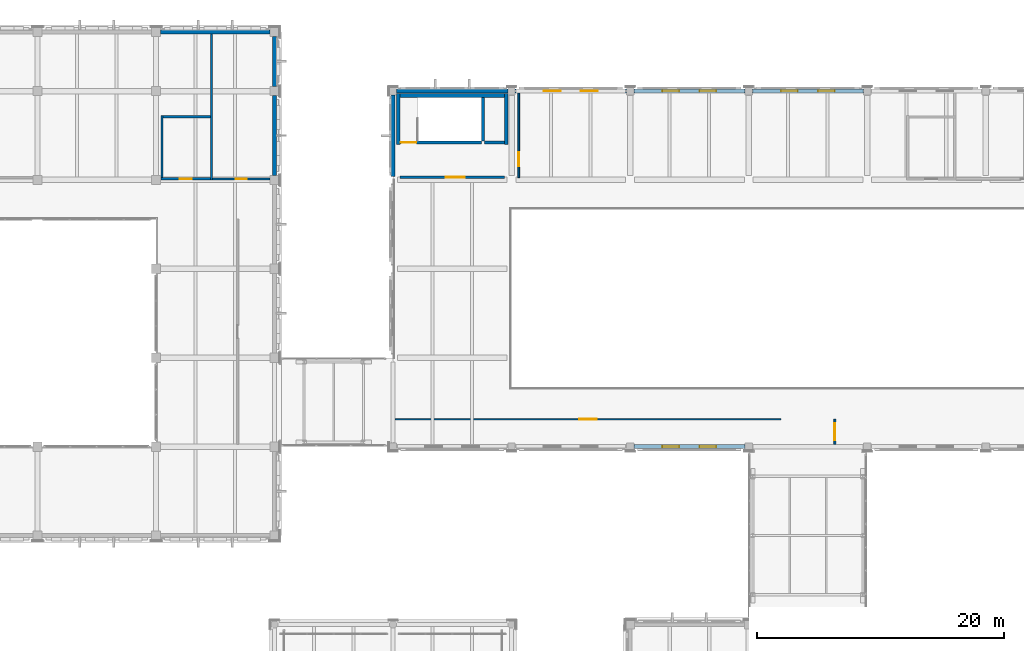
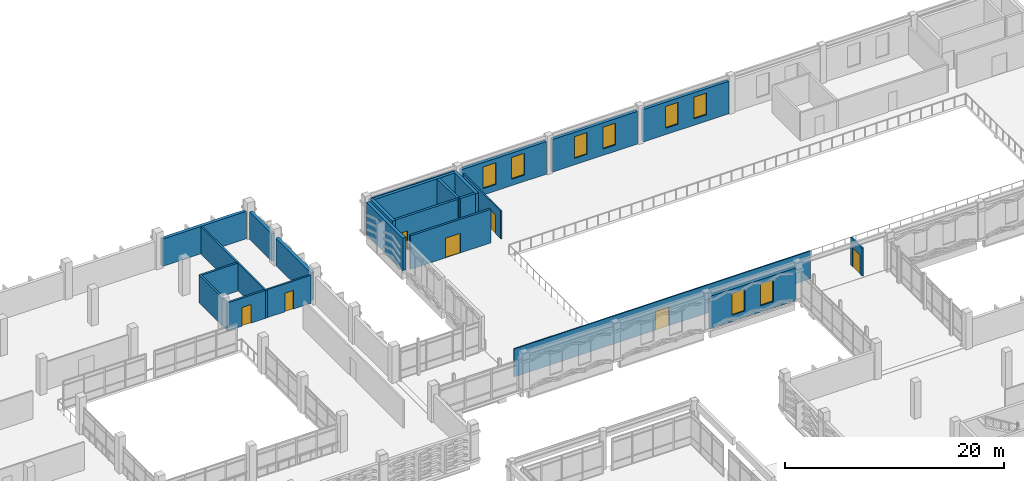
# One storey, part 156 of 180: 24 walls, 8 windows, 7 doors, 15 openings.
"""IFC4 building model written with IfcOpenShell, lengths in metres."""

from ifc_helpers import new_model, si_unit, direction, frame, frame_2d, origin, place, context, subcontext, project, spatial, rectangle, extrude, material, layer, layer_set, type_object, element, fill, save


model = new_model("IFC4")

# Units and contexts
model_context = context("Model", 3, precision=1e-05, world=origin(), true_north=direction((0.0, 1.0)))
body_context = subcontext(model_context, "Body", "Model", "MODEL_VIEW")
ifc_project = project(units=[si_unit("LENGTHUNIT", "METRE"), si_unit("AREAUNIT", "SQUARE_METRE"), si_unit("VOLUMEUNIT", "CUBIC_METRE"), si_unit("PLANEANGLEUNIT", "RADIAN"), si_unit("MASSUNIT", "GRAM", prefix="KILO")], contexts=[model_context])

# Site, building, storey
site_placement = place(None, origin())
site = spatial("IfcSite", under=ifc_project, at=site_placement, CompositionType="ELEMENT")
building_placement = place(site_placement, origin())
building = spatial("IfcBuilding", under=site, at=building_placement, Name="Asteropetra Specialist Clinic", CompositionType="ELEMENT")
storey_placement = place(building_placement, frame((0.0, 0.0, 4.419921875)))
storey = spatial("IfcBuildingStorey", under=building, at=storey_placement, Name="L01", CompositionType="ELEMENT", Elevation=4.419921875)

# Wall
ifc_material_1 = material(Name="Chevron terracotta deep", Category="masonry")
ifc_layer_1 = layer(ifc_material_1, 0.320068359375)
ifc_layer_set_1 = layer_set([ifc_layer_1], Name="Chevron terracotta deep")
wall_type_1 = type_object("IfcWallType", Name="EW-CHEV-TER-320", PredefinedType="SOLIDWALL", material=ifc_layer_set_1)
wall_1_placement = place(storey_placement, frame((95.699951171875, 105.60009765625, 0.0), z_axis=(0.0, 0.0, 1.0), x_axis=(-1.0, 0.0, 0.0)))
element("IfcWall", 1, at=wall_1_placement, inside=storey, type_object=wall_type_1, Name="Exterior Wall EW-0012", PredefinedType="SOLIDWALL", context=body_context, shape_type="SweptSolid", body=[
    extrude(rectangle(XDim=9.0, YDim=0.320068359375, at=frame_2d((4.5, 0.0))), origin(), (0.0, 0.0, 1.0), 3.630126953125),
])

# Wall, openings, windows
wall_2_placement = place(storey_placement, frame((105.300048828125, 105.60009765625, 0.0), z_axis=(0.0, 0.0, 1.0), x_axis=(-1.0, 0.0, 0.0)))
wall_2 = element("IfcWall", 2, at=wall_2_placement, inside=storey, type_object=wall_type_1, Name="Exterior Wall EW-0014", PredefinedType="SOLIDWALL", context=body_context, shape_type="SweptSolid", body=[
    extrude(rectangle(XDim=9.0, YDim=0.320068359375, at=frame_2d((4.5, 0.0))), origin(), (0.0, 0.0, 1.0), 3.630126953125),
])
opening_1_placement = place(wall_2_placement, frame((2.324951171875, 0.0, 0.719970703125)))
opening_1 = element("IfcOpeningElement", 3, at=opening_1_placement, cuts=wall_2, Name="Opening W-0009", PredefinedType="OPENING", context=body_context, shape_type="SweptSolid", body=[
    extrude(rectangle(XDim=1.35009765625, YDim=2.419921875, at=frame_2d((0.675048828125, 1.2099609375))), frame((0.0, 0.169921875, 0.0), z_axis=(0.0, -1.0, 0.0), x_axis=(1.0, 0.0, 0.0)), (0.0, 0.0, 1.0), 0.340087890625),
])
opening_2_placement = place(wall_2_placement, frame((5.324951171875, 0.0, 0.719970703125)))
opening_2 = element("IfcOpeningElement", 4, at=opening_2_placement, cuts=wall_2, Name="Opening W-0010", PredefinedType="OPENING", context=body_context, shape_type="SweptSolid", body=[
    extrude(rectangle(XDim=1.35009765625, YDim=2.419921875, at=frame_2d((0.675048828125, 1.2099609375))), frame((0.0, 0.169921875, 0.0), z_axis=(0.0, -1.0, 0.0), x_axis=(1.0, 0.0, 0.0)), (0.0, 0.0, 1.0), 0.340087890625),
])
ifc_material_2 = material(Name="Thermally broken bronze aluminium and low-E glass", Category="aluminium")
window_type = type_object("IfcWindowType", Name="WIN-T23", PartitioningType="DOUBLE_PANEL_VERTICAL", PredefinedType="WINDOW", material=ifc_material_2)
window_1_placement = place(opening_1_placement, origin())
window_1 = element("IfcWindow", 5, at=window_1_placement, inside=storey, type_object=window_type, Name="Window W-0009", OverallHeight=2.419921875, OverallWidth=1.35009765625, PartitioningType="SINGLE_PANEL", PredefinedType="WINDOW", context=body_context, shape_type="SweptSolid", body=[
    extrude(rectangle(XDim=1.35009765625, YDim=2.419921875, at=frame_2d((0.675048828125, 1.2099609375))), frame((0.0, 0.030029296875, 0.0), z_axis=(0.0, -1.0, 0.0), x_axis=(1.0, 0.0, 0.0)), (0.0, 0.0, 1.0), 0.06005859375),
])
fill(opening_1, window_1)
window_2_placement = place(opening_2_placement, origin())
window_2 = element("IfcWindow", 6, at=window_2_placement, inside=storey, type_object=window_type, Name="Window W-0010", OverallHeight=2.419921875, OverallWidth=1.35009765625, PartitioningType="SINGLE_PANEL", PredefinedType="WINDOW", context=body_context, shape_type="SweptSolid", body=[
    extrude(rectangle(XDim=1.35009765625, YDim=2.419921875, at=frame_2d((0.675048828125, 1.2099609375))), frame((0.0, 0.030029296875, 0.0), z_axis=(0.0, -1.0, 0.0), x_axis=(1.0, 0.0, 0.0)), (0.0, 0.0, 1.0), 0.06005859375),
])
fill(opening_2, window_2)

wall_3_placement = place(storey_placement, frame((105.89990234375, 76.800048828125, 0.0), z_axis=(0.0, 0.0, 1.0), x_axis=(1.0, 0.0, 0.0)))
wall_3 = element("IfcWall", 7, at=wall_3_placement, inside=storey, type_object=wall_type_1, Name="Exterior Wall EW-0015", PredefinedType="SOLIDWALL", context=body_context, shape_type="SweptSolid", body=[
    extrude(rectangle(XDim=9.0, YDim=0.320068359375, at=frame_2d((4.5, 0.0))), origin(), (0.0, 0.0, 1.0), 3.630126953125),
])
opening_3_placement = place(wall_3_placement, frame((2.324951171875, 0.0, 0.719970703125)))
opening_3 = element("IfcOpeningElement", 8, at=opening_3_placement, cuts=wall_3, Name="Opening W-0011", PredefinedType="OPENING", context=body_context, shape_type="SweptSolid", body=[
    extrude(rectangle(XDim=1.35009765625, YDim=2.419921875, at=frame_2d((0.675048828125, 1.2099609375))), frame((0.0, 0.169921875, 0.0), z_axis=(0.0, -1.0, 0.0), x_axis=(1.0, 0.0, 0.0)), (0.0, 0.0, 1.0), 0.340087890625),
])
opening_4_placement = place(wall_3_placement, frame((5.324951171875, 0.0, 0.719970703125)))
opening_4 = element("IfcOpeningElement", 9, at=opening_4_placement, cuts=wall_3, Name="Opening W-0012", PredefinedType="OPENING", context=body_context, shape_type="SweptSolid", body=[
    extrude(rectangle(XDim=1.35009765625, YDim=2.419921875, at=frame_2d((0.675048828125, 1.2099609375))), frame((0.0, 0.169921875, 0.0), z_axis=(0.0, -1.0, 0.0), x_axis=(1.0, 0.0, 0.0)), (0.0, 0.0, 1.0), 0.340087890625),
])
window_3_placement = place(opening_3_placement, origin())
window_3 = element("IfcWindow", 10, at=window_3_placement, inside=storey, type_object=window_type, Name="Window W-0011", OverallHeight=2.419921875, OverallWidth=1.35009765625, PartitioningType="SINGLE_PANEL", PredefinedType="WINDOW", context=body_context, shape_type="SweptSolid", body=[
    extrude(rectangle(XDim=1.35009765625, YDim=2.419921875, at=frame_2d((0.675048828125, 1.2099609375))), frame((0.0, 0.030029296875, 0.0), z_axis=(0.0, -1.0, 0.0), x_axis=(1.0, 0.0, 0.0)), (0.0, 0.0, 1.0), 0.06005859375),
])
fill(opening_3, window_3)
window_4_placement = place(opening_4_placement, origin())
window_4 = element("IfcWindow", 11, at=window_4_placement, inside=storey, type_object=window_type, Name="Window W-0012", OverallHeight=2.419921875, OverallWidth=1.35009765625, PartitioningType="SINGLE_PANEL", PredefinedType="WINDOW", context=body_context, shape_type="SweptSolid", body=[
    extrude(rectangle(XDim=1.35009765625, YDim=2.419921875, at=frame_2d((0.675048828125, 1.2099609375))), frame((0.0, 0.030029296875, 0.0), z_axis=(0.0, -1.0, 0.0), x_axis=(1.0, 0.0, 0.0)), (0.0, 0.0, 1.0), 0.06005859375),
])
fill(opening_4, window_4)

wall_4_placement = place(storey_placement, frame((114.89990234375, 105.60009765625, 0.0), z_axis=(0.0, 0.0, 1.0), x_axis=(-1.0, 0.0, 0.0)))
wall_4 = element("IfcWall", 12, at=wall_4_placement, inside=storey, type_object=wall_type_1, Name="Exterior Wall EW-0016", PredefinedType="SOLIDWALL", context=body_context, shape_type="SweptSolid", body=[
    extrude(rectangle(XDim=9.0, YDim=0.320068359375, at=frame_2d((4.5, 0.0))), origin(), (0.0, 0.0, 1.0), 3.630126953125),
])
opening_5_placement = place(wall_4_placement, frame((2.324951171875, 0.0, 0.719970703125)))
opening_5 = element("IfcOpeningElement", 13, at=opening_5_placement, cuts=wall_4, Name="Opening W-0013", PredefinedType="OPENING", context=body_context, shape_type="SweptSolid", body=[
    extrude(rectangle(XDim=1.35009765625, YDim=2.419921875, at=frame_2d((0.675048828125, 1.2099609375))), frame((0.0, 0.169921875, 0.0), z_axis=(0.0, -1.0, 0.0), x_axis=(1.0, 0.0, 0.0)), (0.0, 0.0, 1.0), 0.340087890625),
])
opening_6_placement = place(wall_4_placement, frame((5.324951171875, 0.0, 0.719970703125)))
opening_6 = element("IfcOpeningElement", 14, at=opening_6_placement, cuts=wall_4, Name="Opening W-0014", PredefinedType="OPENING", context=body_context, shape_type="SweptSolid", body=[
    extrude(rectangle(XDim=1.35009765625, YDim=2.419921875, at=frame_2d((0.675048828125, 1.2099609375))), frame((0.0, 0.169921875, 0.0), z_axis=(0.0, -1.0, 0.0), x_axis=(1.0, 0.0, 0.0)), (0.0, 0.0, 1.0), 0.340087890625),
])
window_5_placement = place(opening_5_placement, origin())
window_5 = element("IfcWindow", 15, at=window_5_placement, inside=storey, type_object=window_type, Name="Window W-0013", OverallHeight=2.419921875, OverallWidth=1.35009765625, PartitioningType="SINGLE_PANEL", PredefinedType="WINDOW", context=body_context, shape_type="SweptSolid", body=[
    extrude(rectangle(XDim=1.35009765625, YDim=2.419921875, at=frame_2d((0.675048828125, 1.2099609375))), frame((0.0, 0.030029296875, 0.0), z_axis=(0.0, -1.0, 0.0), x_axis=(1.0, 0.0, 0.0)), (0.0, 0.0, 1.0), 0.06005859375),
])
fill(opening_5, window_5)
window_6_placement = place(opening_6_placement, origin())
window_6 = element("IfcWindow", 16, at=window_6_placement, inside=storey, type_object=window_type, Name="Window W-0014", OverallHeight=2.419921875, OverallWidth=1.35009765625, PartitioningType="SINGLE_PANEL", PredefinedType="WINDOW", context=body_context, shape_type="SweptSolid", body=[
    extrude(rectangle(XDim=1.35009765625, YDim=2.419921875, at=frame_2d((0.675048828125, 1.2099609375))), frame((0.0, 0.030029296875, 0.0), z_axis=(0.0, -1.0, 0.0), x_axis=(1.0, 0.0, 0.0)), (0.0, 0.0, 1.0), 0.06005859375),
])
fill(opening_6, window_6)

wall_5_placement = place(storey_placement, frame((124.5, 105.60009765625, 0.0), z_axis=(0.0, 0.0, 1.0), x_axis=(-1.0, 0.0, 0.0)))
wall_5 = element("IfcWall", 17, at=wall_5_placement, inside=storey, type_object=wall_type_1, Name="Exterior Wall EW-0017", PredefinedType="SOLIDWALL", context=body_context, shape_type="SweptSolid", body=[
    extrude(rectangle(XDim=9.0, YDim=0.320068359375, at=frame_2d((4.5, 0.0))), origin(), (0.0, 0.0, 1.0), 3.630126953125),
])
opening_7_placement = place(wall_5_placement, frame((2.324951171875, 0.0, 0.719970703125)))
opening_7 = element("IfcOpeningElement", 18, at=opening_7_placement, cuts=wall_5, Name="Opening W-0015", PredefinedType="OPENING", context=body_context, shape_type="SweptSolid", body=[
    extrude(rectangle(XDim=1.35009765625, YDim=2.419921875, at=frame_2d((0.675048828125, 1.2099609375))), frame((0.0, 0.169921875, 0.0), z_axis=(0.0, -1.0, 0.0), x_axis=(1.0, 0.0, 0.0)), (0.0, 0.0, 1.0), 0.340087890625),
])
opening_8_placement = place(wall_5_placement, frame((5.324951171875, 0.0, 0.719970703125)))
opening_8 = element("IfcOpeningElement", 19, at=opening_8_placement, cuts=wall_5, Name="Opening W-0016", PredefinedType="OPENING", context=body_context, shape_type="SweptSolid", body=[
    extrude(rectangle(XDim=1.35009765625, YDim=2.419921875, at=frame_2d((0.675048828125, 1.2099609375))), frame((0.0, 0.169921875, 0.0), z_axis=(0.0, -1.0, 0.0), x_axis=(1.0, 0.0, 0.0)), (0.0, 0.0, 1.0), 0.340087890625),
])
window_7_placement = place(opening_7_placement, origin())
window_7 = element("IfcWindow", 20, at=window_7_placement, inside=storey, type_object=window_type, Name="Window W-0015", OverallHeight=2.419921875, OverallWidth=1.35009765625, PartitioningType="SINGLE_PANEL", PredefinedType="WINDOW", context=body_context, shape_type="SweptSolid", body=[
    extrude(rectangle(XDim=1.35009765625, YDim=2.419921875, at=frame_2d((0.675048828125, 1.2099609375))), frame((0.0, 0.030029296875, 0.0), z_axis=(0.0, -1.0, 0.0), x_axis=(1.0, 0.0, 0.0)), (0.0, 0.0, 1.0), 0.06005859375),
])
fill(opening_7, window_7)
window_8_placement = place(opening_8_placement, origin())
window_8 = element("IfcWindow", 21, at=window_8_placement, inside=storey, type_object=window_type, Name="Window W-0016", OverallHeight=2.419921875, OverallWidth=1.35009765625, PartitioningType="SINGLE_PANEL", PredefinedType="WINDOW", context=body_context, shape_type="SweptSolid", body=[
    extrude(rectangle(XDim=1.35009765625, YDim=2.419921875, at=frame_2d((0.675048828125, 1.2099609375))), frame((0.0, 0.030029296875, 0.0), z_axis=(0.0, -1.0, 0.0), x_axis=(1.0, 0.0, 0.0)), (0.0, 0.0, 1.0), 0.06005859375),
])
fill(opening_8, window_8)

# Walls
wall_6_placement = place(storey_placement, frame((86.39990234375, 105.300048828125, 0.0), z_axis=(0.0, 0.0, 1.0), x_axis=(0.0, -1.0, 0.0)))
element("IfcWall", 22, at=wall_6_placement, inside=storey, type_object=wall_type_1, Name="Exterior Wall EW-0029", PredefinedType="SOLIDWALL", context=body_context, shape_type="SweptSolid", body=[
    extrude(rectangle(XDim=6.6201171875, YDim=0.320068359375, at=frame_2d((3.31005859375, 0.0))), origin(), (0.0, 0.0, 1.0), 3.630126953125),
])
wall_7_placement = place(storey_placement, frame((76.425048828125, 110.39990234375, 0.0), z_axis=(0.0, 0.0, 1.0), x_axis=(-1.0, 0.0, 0.0)))
element("IfcWall", 23, at=wall_7_placement, inside=storey, type_object=wall_type_1, Name="Exterior Wall EW-0075", PredefinedType="SOLIDWALL", context=body_context, shape_type="SweptSolid", body=[
    extrude(rectangle(XDim=8.85009765625, YDim=0.320068359375, at=frame_2d((4.425048828125, 0.0))), origin(), (0.0, 0.0, 1.0), 3.050048828125),
])
wall_8_placement = place(storey_placement, frame((76.800048828125, 98.77490234375, 0.0), z_axis=(0.0, 0.0, 1.0), x_axis=(0.0, 1.0, 0.0)))
element("IfcWall", 24, at=wall_8_placement, inside=storey, type_object=wall_type_1, Name="Exterior Wall EW-0084", PredefinedType="SOLIDWALL", context=body_context, shape_type="SweptSolid", body=[
    extrude(rectangle(XDim=6.4501953125, YDim=0.320068359375, at=frame_2d((3.22509765625, 0.0))), origin(), (0.0, 0.0, 1.0), 3.050048828125),
])
wall_9_placement = place(storey_placement, frame((76.800048828125, 105.97509765625, 0.0), z_axis=(0.0, 0.0, 1.0), x_axis=(0.0, 1.0, 0.0)))
element("IfcWall", 25, at=wall_9_placement, inside=storey, type_object=wall_type_1, Name="Exterior Wall EW-0086", PredefinedType="SOLIDWALL", context=body_context, shape_type="SweptSolid", body=[
    extrude(rectangle(XDim=4.0498046875, YDim=0.320068359375, at=frame_2d((2.02490234375, 0.0))), origin(), (0.0, 0.0, 1.0), 3.050048828125),
])

# Wall, opening, door
ifc_material_3 = material(Name="Fire-rated masonry and gypsum", Category="masonry")
ifc_layer_2 = layer(ifc_material_3, 0.219970703125)
ifc_layer_set_2 = layer_set([ifc_layer_2], Name="Fire-rated masonry and gypsum")
wall_type_2 = type_object("IfcWallType", Name="W-COMP-220", PredefinedType="PARTITIONING", material=ifc_layer_set_2)
wall_10_placement = place(storey_placement, frame((86.9599609375, 98.6201171875, 0.0), z_axis=(0.0, 0.0, 1.0), x_axis=(1.0, 0.0, 0.0)))
wall_10 = element("IfcWall", 26, at=wall_10_placement, inside=storey, type_object=wall_type_2, Name="Core Wall CW-C11-L01-LOB", PredefinedType="PARTITIONING", context=body_context, shape_type="SweptSolid", body=[
    extrude(rectangle(XDim=8.47998046875, YDim=0.219970703125, at=frame_2d((4.239990234375, 0.0))), origin(), (0.0, 0.0, 1.0), 3.75),
])
opening_9_placement = place(wall_10_placement, frame((3.699951171875, 0.0, 0.0)))
opening_9 = element("IfcOpeningElement", 27, at=opening_9_placement, cuts=wall_10, Name="Opening FD-098", PredefinedType="OPENING", context=body_context, shape_type="SweptSolid", body=[
    extrude(rectangle(XDim=1.550048828125, YDim=2.199951171875, at=frame_2d((0.77490234375, 1.10009765625))), frame((0.0, 0.119873046875, 0.0), z_axis=(0.0, -1.0, 0.0), x_axis=(1.0, 0.0, 0.0)), (0.0, 0.0, 1.0), 0.239990234375),
])
ifc_material_4 = material(Name="Fire-rated steel and vision glass door", Category="steel")
door_type_1 = type_object("IfcDoorType", Name="FD-LOBBY-1550", OperationType="DOUBLE_DOOR_SINGLE_SWING", PredefinedType="DOOR", material=ifc_material_4)
door_1_placement = place(opening_9_placement, origin())
door_1 = element("IfcDoor", 28, at=door_1_placement, inside=storey, type_object=door_type_1, Name="Lobby Fire Door FD-098", OperationType="DOUBLE_DOOR_SINGLE_SWING", OverallHeight=2.199951171875, OverallWidth=1.550048828125, PredefinedType="DOOR", context=body_context, shape_type="SweptSolid", body=[
    extrude(rectangle(XDim=1.550048828125, YDim=2.199951171875, at=frame_2d((0.77490234375, 1.10009765625))), frame((0.0, 0.02490234375, 0.0), z_axis=(0.0, -1.0, 0.0), x_axis=(1.0, 0.0, 0.0)), (0.0, 0.0, 1.0), 0.050048828125),
])
fill(opening_9, door_1)

# Walls
ifc_material_5 = material(Name="Concrete C35/45", Category="concrete")
ifc_layer_3 = layer(ifc_material_5, 0.300048828125)
ifc_layer_set_3 = layer_set([ifc_layer_3], Name="Concrete C35/45")
wall_type_3 = type_object("IfcWallType", Name="W-CORE-300", PredefinedType="SHEAR", material=ifc_layer_set_3)
for number, where, z_axis, x_axis, name in (
    (29, (86.820068359375, 101.2900390625, 0.0), (0.0, 0.0, 1.0), (0.0, 1.0, 0.0), "Core Wall CW-C11-L01-W"),
    (30, (95.580078125, 101.2900390625, 0.0), (0.0, 0.0, 1.0), (0.0, 1.0, 0.0), "Core Wall CW-C11-L01-E"),
):
    element("IfcWall", number, at=place(storey_placement, frame(where, z_axis=z_axis, x_axis=x_axis)), inside=storey, type_object=wall_type_3, Name=name, PredefinedType="SHEAR", context=body_context, shape_type="SweptSolid", body=[
        extrude(rectangle(XDim=4.099853515625, YDim=0.300048828125, at=frame_2d((2.0498046875, 0.0))), origin(), (0.0, 0.0, 1.0), 3.800048828125),
    ])
wall_11_placement = place(storey_placement, frame((86.965087890625, 105.239990234375, 0.0), z_axis=(0.0, 0.0, 1.0), x_axis=(1.0, 0.0, 0.0)))
element("IfcWall", 31, at=wall_11_placement, inside=storey, type_object=wall_type_3, Name="Core Wall CW-C11-L01-BACK", PredefinedType="SHEAR", context=body_context, shape_type="SweptSolid", body=[
    extrude(rectangle(XDim=8.469970703125, YDim=0.300048828125, at=frame_2d((4.23486328125, 0.0))), origin(), (0.0, 0.0, 1.0), 3.800048828125),
])

# Wall, opening, door
ifc_material_6 = material(Name="Light partition", Category="masonry")
ifc_layer_4 = layer(ifc_material_6, 0.1201171875)
ifc_layer_set_4 = layer_set([ifc_layer_4], Name="Light partition")
wall_type_4 = type_object("IfcWallType", Name="W-PART-120", PredefinedType="PARTITIONING", material=ifc_layer_set_4)
wall_12_placement = place(storey_placement, frame((86.580078125, 79.02001953125, 0.0), z_axis=(0.0, 0.0, 1.0), x_axis=(1.0, 0.0, 0.0)))
wall_12 = element("IfcWall", 32, at=wall_12_placement, inside=storey, type_object=wall_type_4, Name="Interior Partition PW-0094", PredefinedType="PARTITIONING", context=body_context, shape_type="SweptSolid", body=[
    extrude(rectangle(XDim=31.239990234375, YDim=0.1201171875, at=frame_2d((15.6201171875, 0.0))), origin(), (0.0, 0.0, 1.0), 3.1201171875),
])
opening_10_placement = place(wall_12_placement, frame((14.919921875, 0.0, 0.0)))
opening_10 = element("IfcOpeningElement", 33, at=opening_10_placement, cuts=wall_12, Name="Opening ID-0054", PredefinedType="OPENING", context=body_context, shape_type="SweptSolid", body=[
    extrude(rectangle(XDim=1.39990234375, YDim=2.1201171875, at=frame_2d((0.699951171875, 1.06005859375))), frame((0.0, 0.070068359375, 0.0), z_axis=(0.0, -1.0, 0.0), x_axis=(1.0, 0.0, 0.0)), (0.0, 0.0, 1.0), 0.14013671875),
])
ifc_material_7 = material(Name="Antimicrobial laminate timber leaf in steel frame", Category="steel")
door_type_2 = type_object("IfcDoorType", Name="ID-WARD-1400", OperationType="NOTDEFINED", PredefinedType="DOOR", material=ifc_material_7)
door_2_placement = place(opening_10_placement, origin())
door_2 = element("IfcDoor", 34, at=door_2_placement, inside=storey, type_object=door_type_2, Name="Interior Door ID-0054", OperationType="SINGLE_SWING_LEFT", OverallHeight=2.1201171875, OverallWidth=1.39990234375, PredefinedType="DOOR", context=body_context, shape_type="SweptSolid", body=[
    extrude(rectangle(XDim=1.39990234375, YDim=2.1201171875, at=frame_2d((0.699951171875, 1.06005859375))), frame((0.0, 0.02490234375, 0.0), z_axis=(0.0, -1.0, 0.0), x_axis=(1.0, 0.0, 0.0)), (0.0, 0.0, 1.0), 0.050048828125),
])
fill(opening_10, door_2)

ifc_material_8 = material(Name="Clinical consulting partition", Category="masonry")
ifc_layer_5 = layer(ifc_material_8, 0.14990234375)
ifc_layer_set_5 = layer_set([ifc_layer_5], Name="Clinical consulting partition")
wall_type_5 = type_object("IfcWallType", Name="W-PART-150", PredefinedType="PARTITIONING", material=ifc_layer_set_5)
wall_13_placement = place(storey_placement, frame((96.580078125, 98.580078125, 0.0), z_axis=(0.0, 0.0, 1.0), x_axis=(0.0, 1.0, 0.0)))
wall_13 = element("IfcWall", 35, at=wall_13_placement, inside=storey, type_object=wall_type_5, Name="Interior Partition PW-0096", PredefinedType="PARTITIONING", context=body_context, shape_type="SweptSolid", body=[
    extrude(rectangle(XDim=6.85791015625, YDim=0.14990234375, at=frame_2d((3.428955078125, 0.0))), origin(), (0.0, 0.0, 1.0), 3.1201171875),
])
opening_11_placement = place(wall_13_placement, frame((0.933837890625, 0.0, 0.0)))
opening_11 = element("IfcOpeningElement", 36, at=opening_11_placement, cuts=wall_13, Name="Opening ID-0056", PredefinedType="OPENING", context=body_context, shape_type="SweptSolid", body=[
    extrude(rectangle(XDim=1.14990234375, YDim=2.10009765625, at=frame_2d((0.574951171875, 1.050048828125))), frame((0.0, 0.0849609375, 0.0), z_axis=(0.0, -1.0, 0.0), x_axis=(1.0, 0.0, 0.0)), (0.0, 0.0, 1.0), 0.169921875),
])
ifc_material_9 = material(Name="Antimicrobial laminate timber leaf in steel frame", Category="steel")
door_type_3 = type_object("IfcDoorType", Name="ID-CONS-1150", OperationType="SINGLE_SWING_LEFT", PredefinedType="DOOR", material=ifc_material_9)
door_3_placement = place(opening_11_placement, origin())
door_3 = element("IfcDoor", 37, at=door_3_placement, inside=storey, type_object=door_type_3, Name="Interior Door ID-0056", OperationType="SINGLE_SWING_LEFT", OverallHeight=2.10009765625, OverallWidth=1.14990234375, PredefinedType="DOOR", context=body_context, shape_type="SweptSolid", body=[
    extrude(rectangle(XDim=1.14990234375, YDim=2.10009765625, at=frame_2d((0.574951171875, 1.050048828125))), frame((0.0, 0.02490234375, 0.0), z_axis=(0.0, -1.0, 0.0), x_axis=(1.0, 0.0, 0.0)), (0.0, 0.0, 1.0), 0.050048828125),
])
fill(opening_11, door_3)

ifc_material_10 = material(Name="Acoustic clinical stud partition", Category="masonry")
ifc_layer_6 = layer(ifc_material_10, 0.159912109375)
ifc_layer_set_6 = layer_set([ifc_layer_6], Name="Acoustic clinical stud partition")
wall_type_6 = type_object("IfcWallType", Name="W-PART-160", PredefinedType="PARTITIONING", material=ifc_layer_set_6)
wall_14_placement = place(storey_placement, frame((122.179931640625, 76.97998046875, 0.0), z_axis=(0.0, 0.0, 1.0), x_axis=(0.0, 1.0, 0.0)))
wall_14 = element("IfcWall", 38, at=wall_14_placement, inside=storey, type_object=wall_type_6, Name="Interior Partition PW-0095", PredefinedType="PARTITIONING", context=body_context, shape_type="SweptSolid", body=[
    extrude(rectangle(XDim=2.0400390625, YDim=0.159912109375, at=frame_2d((1.02001953125, 0.0))), origin(), (0.0, 0.0, 1.0), 3.1201171875),
])
opening_12_placement = place(wall_14_placement, frame((0.320068359375, 0.0, 0.0)))
opening_12 = element("IfcOpeningElement", 39, at=opening_12_placement, cuts=wall_14, Name="Opening ID-0055", PredefinedType="OPENING", context=body_context, shape_type="SweptSolid", body=[
    extrude(rectangle(XDim=1.39990234375, YDim=2.1201171875, at=frame_2d((0.699951171875, 1.06005859375))), frame((0.0, 0.08984375, 0.0), z_axis=(0.0, -1.0, 0.0), x_axis=(1.0, 0.0, 0.0)), (0.0, 0.0, 1.0), 0.179931640625),
])
door_4_placement = place(opening_12_placement, origin())
door_4 = element("IfcDoor", 40, at=door_4_placement, inside=storey, type_object=door_type_2, Name="Interior Door ID-0055", OperationType="SINGLE_SWING_RIGHT", OverallHeight=2.1201171875, OverallWidth=1.39990234375, PredefinedType="DOOR", context=body_context, shape_type="SweptSolid", body=[
    extrude(rectangle(XDim=1.39990234375, YDim=2.1201171875, at=frame_2d((0.699951171875, 1.06005859375))), frame((0.0, 0.02490234375, 0.0), z_axis=(0.0, -1.0, 0.0), x_axis=(1.0, 0.0, 0.0)), (0.0, 0.0, 1.0), 0.050048828125),
])
fill(opening_12, door_4)

# Walls
ifc_material_11 = material(Name="En-suite plumbing wall", Category="masonry")
ifc_layer_7 = layer(ifc_material_11, 0.169921875)
ifc_layer_set_7 = layer_set([ifc_layer_7], Name="En-suite plumbing wall")
wall_type_7 = type_object("IfcWallType", Name="W-PLUMB-170", PredefinedType="PLUMBINGWALL", material=ifc_layer_set_7)
wall_15_placement = place(storey_placement, frame((71.7099609375, 98.39501953125, 0.0), z_axis=(0.0, 0.0, 1.0), x_axis=(0.0, 1.0, 0.0)))
element("IfcWall", 41, at=wall_15_placement, inside=storey, type_object=wall_type_7, Name="Interior Partition PW-0079", PredefinedType="PLUMBINGWALL", context=body_context, shape_type="SweptSolid", body=[
    extrude(rectangle(XDim=11.843017578125, YDim=0.169921875, at=frame_2d((5.92138671875, 0.0))), origin(), (0.0, 0.0, 1.0), 3.050048828125),
])
wall_16_placement = place(storey_placement, frame((67.68994140625, 98.592041015625, 0.0), z_axis=(0.0, 0.0, 1.0), x_axis=(0.0, 1.0, 0.0)))
element("IfcWall", 42, at=wall_16_placement, inside=storey, type_object=wall_type_7, Name="Interior Partition PW-0081", PredefinedType="PLUMBINGWALL", context=body_context, shape_type="SweptSolid", body=[
    extrude(rectangle(XDim=5.012939453125, YDim=0.169921875, at=frame_2d((2.50634765625, 0.0))), origin(), (0.0, 0.0, 1.0), 3.1201171875),
])

# Wall, opening, door
wall_17_placement = place(storey_placement, frame((71.797119140625, 98.489990234375, 0.0), z_axis=(0.0, 0.0, 1.0), x_axis=(1.0, 0.0, 0.0)))
wall_17 = element("IfcWall", 43, at=wall_17_placement, inside=storey, type_object=wall_type_7, Name="Interior Partition PW-0083", PredefinedType="PLUMBINGWALL", context=body_context, shape_type="SweptSolid", body=[
    extrude(rectangle(XDim=4.622802734375, YDim=0.169921875, at=frame_2d((2.3115234375, 0.0))), origin(), (0.0, 0.0, 1.0), 3.1201171875),
])
opening_13_placement = place(wall_17_placement, frame((1.8515625, 0.0, 0.0)))
opening_13 = element("IfcOpeningElement", 44, at=opening_13_placement, cuts=wall_17, Name="Opening ID-0050", PredefinedType="OPENING", context=body_context, shape_type="SweptSolid", body=[
    extrude(rectangle(XDim=0.919921875, YDim=2.080078125, at=frame_2d((0.4599609375, 1.0400390625))), frame((0.0, 0.094970703125, 0.0), z_axis=(0.0, -1.0, 0.0), x_axis=(1.0, 0.0, 0.0)), (0.0, 0.0, 1.0), 0.18994140625),
])
ifc_material_12 = material(Name="Antimicrobial laminate timber leaf in steel frame", Category="steel")
door_type_4 = type_object("IfcDoorType", Name="ID-WC-0920", OperationType="NOTDEFINED", PredefinedType="DOOR", material=ifc_material_12)
door_5_placement = place(opening_13_placement, origin())
door_5 = element("IfcDoor", 45, at=door_5_placement, inside=storey, type_object=door_type_4, Name="Interior Door ID-0050", OperationType="SINGLE_SWING_LEFT", OverallHeight=2.080078125, OverallWidth=0.919921875, PredefinedType="DOOR", context=body_context, shape_type="SweptSolid", body=[
    extrude(rectangle(XDim=0.919921875, YDim=2.080078125, at=frame_2d((0.4599609375, 1.0400390625))), frame((0.0, 0.02490234375, 0.0), z_axis=(0.0, -1.0, 0.0), x_axis=(1.0, 0.0, 0.0)), (0.0, 0.0, 1.0), 0.050048828125),
])
fill(opening_13, door_5)

ifc_material_13 = material(Name="Sanitary service-chase wall", Category="masonry")
ifc_layer_8 = layer(ifc_material_13, 0.199951171875)
ifc_layer_set_8 = layer_set([ifc_layer_8], Name="Sanitary service-chase wall")
wall_type_8 = type_object("IfcWallType", Name="W-PLUMB-200", PredefinedType="PLUMBINGWALL", material=ifc_layer_set_8)
wall_18_placement = place(storey_placement, frame((67.594970703125, 98.489990234375, 0.0), z_axis=(0.0, 0.0, 1.0), x_axis=(1.0, 0.0, 0.0)))
wall_18 = element("IfcWall", 46, at=wall_18_placement, inside=storey, type_object=wall_type_8, Name="Interior Partition PW-0080", PredefinedType="PLUMBINGWALL", context=body_context, shape_type="SweptSolid", body=[
    extrude(rectangle(XDim=4.028076171875, YDim=0.199951171875, at=frame_2d((2.01416015625, 0.0))), origin(), (0.0, 0.0, 1.0), 3.1201171875),
])
opening_14_placement = place(wall_18_placement, frame((1.52392578125, 0.0, 0.0)))
opening_14 = element("IfcOpeningElement", 47, at=opening_14_placement, cuts=wall_18, Name="Opening ID-0049", PredefinedType="OPENING", context=body_context, shape_type="SweptSolid", body=[
    extrude(rectangle(XDim=0.97998046875, YDim=2.080078125, at=frame_2d((0.489990234375, 1.0400390625))), frame((0.0, 0.10986328125, 0.0), z_axis=(0.0, -1.0, 0.0), x_axis=(1.0, 0.0, 0.0)), (0.0, 0.0, 1.0), 0.219970703125),
])
ifc_material_14 = material(Name="Antimicrobial laminate timber leaf in steel frame", Category="steel")
door_type_5 = type_object("IfcDoorType", Name="ID-AWC-0980", OperationType="NOTDEFINED", PredefinedType="DOOR", material=ifc_material_14)
door_6_placement = place(opening_14_placement, origin())
door_6 = element("IfcDoor", 48, at=door_6_placement, inside=storey, type_object=door_type_5, Name="Interior Door ID-0049", OperationType="SINGLE_SWING_RIGHT", OverallHeight=2.080078125, OverallWidth=0.97998046875, PredefinedType="DOOR", context=body_context, shape_type="SweptSolid", body=[
    extrude(rectangle(XDim=0.97998046875, YDim=2.080078125, at=frame_2d((0.489990234375, 1.0400390625))), frame((0.0, 0.02490234375, 0.0), z_axis=(0.0, -1.0, 0.0), x_axis=(1.0, 0.0, 0.0)), (0.0, 0.0, 1.0), 0.050048828125),
])
fill(opening_14, door_6)

# Walls
wall_19_placement = place(storey_placement, frame((67.777099609375, 103.510009765625, 0.0), z_axis=(0.0, 0.0, 1.0), x_axis=(1.0, 0.0, 0.0)))
element("IfcWall", 49, at=wall_19_placement, inside=storey, type_object=wall_type_8, Name="Interior Partition PW-0082", PredefinedType="PLUMBINGWALL", context=body_context, shape_type="SweptSolid", body=[
    extrude(rectangle(XDim=3.845947265625, YDim=0.199951171875, at=frame_2d((1.9228515625, 0.0))), origin(), (0.0, 0.0, 1.0), 3.1201171875),
])
ifc_material_15 = material(Name="Concrete C35/45", Category="concrete")
ifc_layer_9 = layer(ifc_material_15, 0.25)
ifc_layer_set_9 = layer_set([ifc_layer_9], Name="Concrete C35/45")
wall_type_9 = type_object("IfcWallType", Name="W-SHAFT-250", PredefinedType="SHEAR", material=ifc_layer_set_9)
wall_20_placement = place(storey_placement, frame((93.699951171875, 101.56005859375, 0.0), z_axis=(0.0, 0.0, 1.0), x_axis=(0.0, 1.0, 0.0)))
element("IfcWall", 50, at=wall_20_placement, inside=storey, type_object=wall_type_9, Name="Core Wall CW-C11-L01-MID", PredefinedType="SHEAR", context=body_context, shape_type="SweptSolid", body=[
    extrude(rectangle(XDim=3.530029296875, YDim=0.25, at=frame_2d((1.76513671875, 0.0))), origin(), (0.0, 0.0, 1.0), 3.800048828125),
])

# Wall, opening, door
wall_21_placement = place(storey_placement, frame((86.965087890625, 101.43994140625, 0.0), z_axis=(0.0, 0.0, 1.0), x_axis=(1.0, 0.0, 0.0)))
wall_21 = element("IfcWall", 51, at=wall_21_placement, inside=storey, type_object=wall_type_9, Name="Core Wall CW-C11-L01-STDIV", PredefinedType="SHEAR", context=body_context, shape_type="SweptSolid", body=[
    extrude(rectangle(XDim=6.614990234375, YDim=0.25, at=frame_2d((3.3076171875, 0.0))), origin(), (0.0, 0.0, 1.0), 3.800048828125),
])
opening_15_placement = place(wall_21_placement, frame((0.080078125, 0.0, 0.0)))
opening_15 = element("IfcOpeningElement", 52, at=opening_15_placement, cuts=wall_21, Name="Opening FD-097", PredefinedType="OPENING", context=body_context, shape_type="SweptSolid", body=[
    extrude(rectangle(XDim=1.239990234375, YDim=2.14990234375, at=frame_2d((0.6201171875, 1.074951171875))), frame((0.0, 0.135009765625, 0.0), z_axis=(0.0, -1.0, 0.0), x_axis=(1.0, 0.0, 0.0)), (0.0, 0.0, 1.0), 0.27001953125),
])
ifc_material_16 = material(Name="Fire-rated steel and vision glass door", Category="steel")
door_type_6 = type_object("IfcDoorType", Name="FD-STAIR-1400", OperationType="DOUBLE_DOOR_SINGLE_SWING", PredefinedType="DOOR", material=ifc_material_16)
door_7_placement = place(opening_15_placement, origin())
door_7 = element("IfcDoor", 53, at=door_7_placement, inside=storey, type_object=door_type_6, Name="Stair Fire Door FD-097", OperationType="DOUBLE_DOOR_SINGLE_SWING", OverallHeight=2.14990234375, OverallWidth=1.239990234375, PredefinedType="DOOR", context=body_context, shape_type="SweptSolid", body=[
    extrude(rectangle(XDim=1.239990234375, YDim=2.14990234375, at=frame_2d((0.6201171875, 1.074951171875))), frame((0.0, 0.02490234375, 0.0), z_axis=(0.0, -1.0, 0.0), x_axis=(1.0, 0.0, 0.0)), (0.0, 0.0, 1.0), 0.050048828125),
])
fill(opening_15, door_7)

# Wall
wall_22_placement = place(storey_placement, frame((93.820068359375, 101.43994140625, 0.0), z_axis=(0.0, 0.0, 1.0), x_axis=(1.0, 0.0, 0.0)))
element("IfcWall", 54, at=wall_22_placement, inside=storey, type_object=wall_type_9, Name="Lift Shaft Front Wall CW-C11-L01-LFTF", PredefinedType="SHEAR", context=body_context, shape_type="SweptSolid", body=[
    extrude(rectangle(XDim=1.614990234375, YDim=0.25, at=frame_2d((0.8076171875, 0.0))), origin(), (0.0, 0.0, 1.0), 3.800048828125),
])

save(model, "model.ifc")
